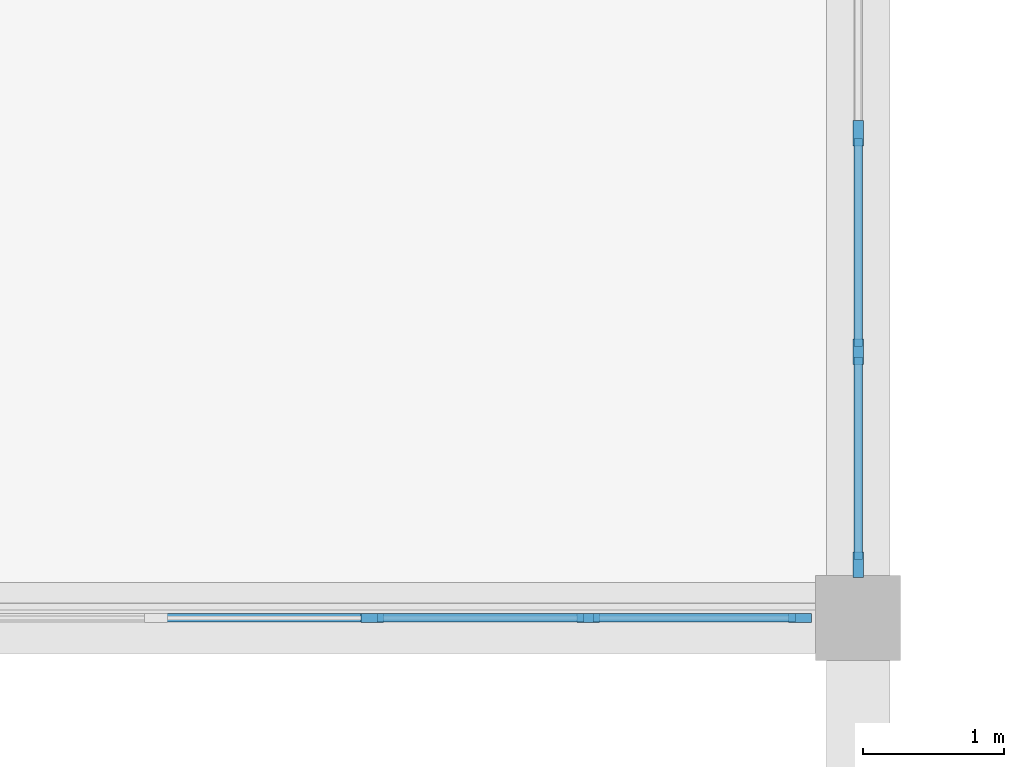
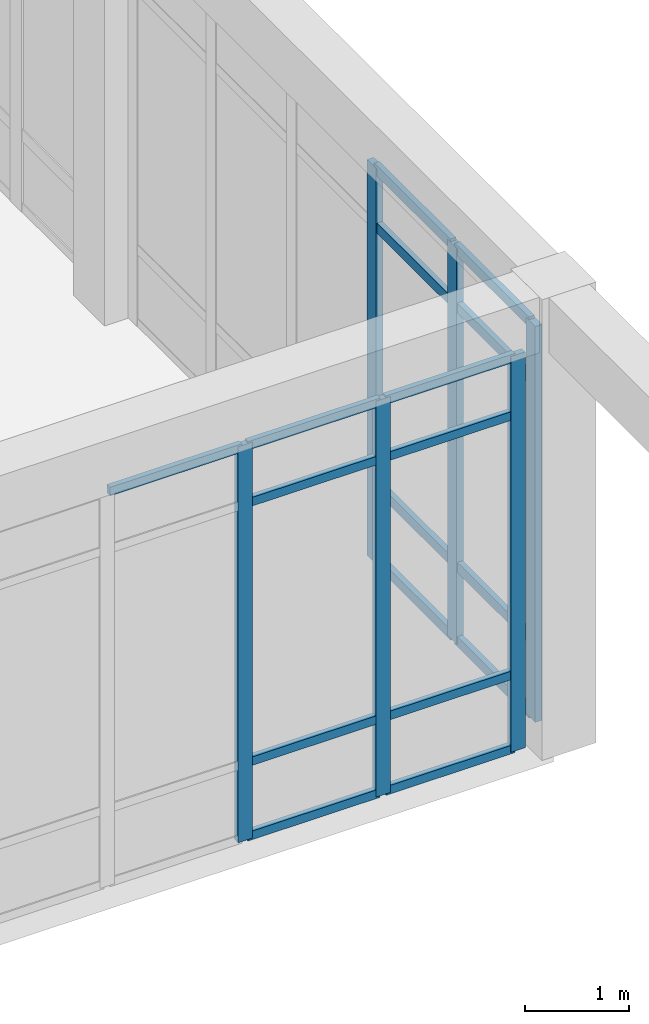
# One storey, part 16 of 89: 23 members, 2 elements without a shape of their own.
"""IFC4 building model written with IfcOpenShell, lengths in metres."""

from ifc_helpers import new_model, si_unit, direction, frame, origin, origin_2d, place, context, subcontext, project, spatial, rectangle, extrude, material, material_profile, profile_set, type_object, element, aggregate, save


model = new_model("IFC4")

# Units and contexts
model_context = context("Model", 3, precision=1e-05, world=origin(), true_north=direction((0.0, 1.0)))
body_context = subcontext(model_context, "Body", "Model", "MODEL_VIEW")
ifc_project = project(units=[si_unit("LENGTHUNIT", "METRE"), si_unit("AREAUNIT", "SQUARE_METRE"), si_unit("VOLUMEUNIT", "CUBIC_METRE"), si_unit("PLANEANGLEUNIT", "RADIAN"), si_unit("MASSUNIT", "GRAM", prefix="KILO")], contexts=[model_context])

# Site, building, storey
site_placement = place(None, origin())
site = spatial("IfcSite", under=ifc_project, at=site_placement, CompositionType="ELEMENT")
building_placement = place(site_placement, origin())
building = spatial("IfcBuilding", under=site, at=building_placement, Name="Varncliffe General Hospital", CompositionType="ELEMENT")
storey_placement = place(building_placement, frame((0.0, 0.0, 10.800048828125)))
storey = spatial("IfcBuildingStorey", under=building, at=storey_placement, Name="L02", CompositionType="ELEMENT", Elevation=10.800048828125)

# Curtain wall, members
ifc_material_1 = material(Name="Triple low-E argon insulated vision glazing", Category="glass")
curtain_wall_type_1 = type_object("IfcCurtainWallType", Name="Unitised Glazed Curtain Wall CW70 (7724x4640)", PredefinedType="USERDEFINED", material=ifc_material_1)
curtain_wall_1_placement = place(storey_placement, origin())
curtain_wall_1 = element("IfcCurtainWall", 1, at=curtain_wall_1_placement, inside=storey, type_object=curtain_wall_type_1, Name="L02 Glazed Curtain Wall CW70-133", ObjectType="GLAZED CURTAIN WALL", PredefinedType="USERDEFINED")
ifc_material_2 = material(Name="Dark bronze thermally broken aluminium framing", Category="aluminium")
ifc_material_profile_1 = material_profile(ifc_material_2, rectangle(XDim=0.074951171875, YDim=0.179931640625, at=origin_2d()), Name="ALU 75x180")
ifc_profile_set_1 = profile_set([ifc_material_profile_1], Name="Dark bronze thermally broken aluminium framing")
member_type_1 = type_object("IfcMemberType", Name="Curtain Wall Mullion CM44 (ALU 75x180)", PredefinedType="MULLION", material=ifc_profile_set_1)
member_1_placement = place(storey_placement, frame((117.60009765625, 61.027587890625, 0.0), z_axis=(0.0, 0.0, 1.0), x_axis=(1.0, 0.0, 0.0)))
member_1 = element("IfcMember", 2, at=member_1_placement, type_object=member_type_1, Name="CW70 mullion 4", PredefinedType="MULLION", context=body_context, shape_type="SweptSolid", body=[
    extrude(rectangle(XDim=0.074951171875, YDim=0.179931640625, at=origin_2d()), origin(), (0.0, 0.0, 1.0), 4.639892578125),
])
member_2_placement = place(storey_placement, frame((117.60009765625, 59.48291015625, 0.0), z_axis=(0.0, 0.0, 1.0), x_axis=(1.0, 0.0, 0.0)))
member_2 = element("IfcMember", 3, at=member_2_placement, type_object=member_type_1, Name="CW70 mullion 5", PredefinedType="MULLION", context=body_context, shape_type="SweptSolid", body=[
    extrude(rectangle(XDim=0.074951171875, YDim=0.179931640625, at=origin_2d()), origin(), (0.0, 0.0, 1.0), 4.639892578125),
])
member_3_placement = place(storey_placement, frame((117.60009765625, 57.9755859375, 0.0), z_axis=(0.0, 0.0, 1.0), x_axis=(1.0, 0.0, 0.0)))
member_3 = element("IfcMember", 4, at=member_3_placement, type_object=member_type_1, Name="CW70 mullion 6", PredefinedType="MULLION", context=body_context, shape_type="SweptSolid", body=[
    extrude(rectangle(XDim=0.074951171875, YDim=0.179931640625, at=origin_2d()), origin(), (0.0, 0.0, 1.0), 4.639892578125),
])

curtain_wall_type_2 = type_object("IfcCurtainWallType", Name="Unitised Glazed Curtain Wall CW27 (7644x4640)", PredefinedType="USERDEFINED", material=ifc_material_1)
curtain_wall_2_placement = place(storey_placement, origin())
curtain_wall_2 = element("IfcCurtainWall", 5, at=curtain_wall_2_placement, inside=storey, type_object=curtain_wall_type_2, Name="L02 Glazed Curtain Wall CW27-134", ObjectType="GLAZED CURTAIN WALL", PredefinedType="USERDEFINED")
ifc_material_profile_2 = material_profile(ifc_material_2, rectangle(XDim=0.06494140625, YDim=0.159912109375, at=origin_2d()), Name="ALU 65x160")
ifc_profile_set_2 = profile_set([ifc_material_profile_2], Name="Dark bronze thermally broken aluminium framing")
member_type_2 = type_object("IfcMemberType", Name="Curtain Wall Mullion CM65 (ALU 65x160)", PredefinedType="MULLION", material=ifc_profile_set_2)
member_4_placement = place(storey_placement, frame((117.189453125, 57.60009765625, 0.0), z_axis=(0.0, 0.0, 1.0), x_axis=(0.0, -1.0, 0.0)))
member_4 = element("IfcMember", 6, at=member_4_placement, type_object=member_type_2, Name="CW27 mullion 1", PredefinedType="MULLION", context=body_context, shape_type="SweptSolid", body=[
    extrude(rectangle(XDim=0.06494140625, YDim=0.159912109375, at=origin_2d()), origin(), (0.0, 0.0, 1.0), 4.639892578125),
])
member_5_placement = place(storey_placement, frame((115.693115234375, 57.60009765625, 0.0), z_axis=(0.0, 0.0, 1.0), x_axis=(0.0, -1.0, 0.0)))
member_5 = element("IfcMember", 7, at=member_5_placement, type_object=member_type_2, Name="CW27 mullion 2", PredefinedType="MULLION", context=body_context, shape_type="SweptSolid", body=[
    extrude(rectangle(XDim=0.06494140625, YDim=0.159912109375, at=origin_2d()), origin(), (0.0, 0.0, 1.0), 4.639892578125),
])
member_6_placement = place(storey_placement, frame((114.164306640625, 57.60009765625, 0.0), z_axis=(0.0, 0.0, 1.0), x_axis=(0.0, -1.0, 0.0)))
member_6 = element("IfcMember", 8, at=member_6_placement, type_object=member_type_2, Name="CW27 mullion 3", PredefinedType="MULLION", context=body_context, shape_type="SweptSolid", body=[
    extrude(rectangle(XDim=0.06494140625, YDim=0.159912109375, at=origin_2d()), origin(), (0.0, 0.0, 1.0), 4.639892578125),
])

# Member
ifc_material_profile_3 = material_profile(ifc_material_2, rectangle(XDim=0.06005859375, YDim=0.1201171875, at=origin_2d()), Name="ALU 60x120")
ifc_profile_set_3 = profile_set([ifc_material_profile_3], Name="Dark bronze thermally broken aluminium framing")
member_type_3 = type_object("IfcMemberType", Name="Curtain Wall Transom CT14 (ALU 60x120)", PredefinedType="USERDEFINED", material=ifc_profile_set_3)
member_7_placement = place(storey_placement, frame((117.60009765625, 60.989990234375, 0.030029296875), z_axis=(0.0, -1.0, 0.0), x_axis=(1.0, 0.0, 0.0)))
member_7 = element("IfcMember", 9, at=member_7_placement, type_object=member_type_3, Name="CW70 transom 4.1", ObjectType="TRANSOM", PredefinedType="USERDEFINED", context=body_context, shape_type="SweptSolid", body=[
    extrude(rectangle(XDim=0.06005859375, YDim=0.1201171875, at=origin_2d()), origin(), (0.0, 0.0, 1.0), 1.4697265625),
])

member_8_placement = place(storey_placement, frame((117.60009765625, 60.989990234375, 0.89990234375), z_axis=(0.0, -1.0, 0.0), x_axis=(1.0, 0.0, 0.0)))
member_8 = element("IfcMember", 10, at=member_8_placement, type_object=member_type_3, Name="CW70 transom 4.2", ObjectType="TRANSOM", PredefinedType="USERDEFINED", context=body_context, shape_type="SweptSolid", body=[
    extrude(rectangle(XDim=0.06005859375, YDim=0.1201171875, at=origin_2d()), origin(), (0.0, 0.0, 1.0), 1.4697265625),
])

member_9_placement = place(storey_placement, frame((117.60009765625, 60.989990234375, 3.93994140625), z_axis=(0.0, -1.0, 0.0), x_axis=(1.0, 0.0, 0.0)))
member_9 = element("IfcMember", 11, at=member_9_placement, type_object=member_type_3, Name="CW70 transom 4.3", ObjectType="TRANSOM", PredefinedType="USERDEFINED", context=body_context, shape_type="SweptSolid", body=[
    extrude(rectangle(XDim=0.06005859375, YDim=0.1201171875, at=origin_2d()), origin(), (0.0, 0.0, 1.0), 1.4697265625),
])

member_10_placement = place(storey_placement, frame((117.60009765625, 60.989990234375, 4.60986328125), z_axis=(0.0, -1.0, 0.0), x_axis=(1.0, 0.0, 0.0)))
member_10 = element("IfcMember", 12, at=member_10_placement, type_object=member_type_3, Name="CW70 transom 4.4", ObjectType="TRANSOM", PredefinedType="USERDEFINED", context=body_context, shape_type="SweptSolid", body=[
    extrude(rectangle(XDim=0.06005859375, YDim=0.1201171875, at=origin_2d()), origin(), (0.0, 0.0, 1.0), 1.4697265625),
])

member_11_placement = place(storey_placement, frame((117.60009765625, 59.4453125, 0.030029296875), z_axis=(0.0, -1.0, 0.0), x_axis=(1.0, 0.0, 0.0)))
member_11 = element("IfcMember", 13, at=member_11_placement, type_object=member_type_3, Name="CW70 transom 5.1", ObjectType="TRANSOM", PredefinedType="USERDEFINED", context=body_context, shape_type="SweptSolid", body=[
    extrude(rectangle(XDim=0.06005859375, YDim=0.1201171875, at=origin_2d()), origin(), (0.0, 0.0, 1.0), 1.432373046875),
])

member_12_placement = place(storey_placement, frame((117.60009765625, 59.4453125, 0.89990234375), z_axis=(0.0, -1.0, 0.0), x_axis=(1.0, 0.0, 0.0)))
member_12 = element("IfcMember", 14, at=member_12_placement, type_object=member_type_3, Name="CW70 transom 5.2", ObjectType="TRANSOM", PredefinedType="USERDEFINED", context=body_context, shape_type="SweptSolid", body=[
    extrude(rectangle(XDim=0.06005859375, YDim=0.1201171875, at=origin_2d()), origin(), (0.0, 0.0, 1.0), 1.432373046875),
])

member_13_placement = place(storey_placement, frame((117.60009765625, 59.4453125, 3.93994140625), z_axis=(0.0, -1.0, 0.0), x_axis=(1.0, 0.0, 0.0)))
member_13 = element("IfcMember", 15, at=member_13_placement, type_object=member_type_3, Name="CW70 transom 5.3", ObjectType="TRANSOM", PredefinedType="USERDEFINED", context=body_context, shape_type="SweptSolid", body=[
    extrude(rectangle(XDim=0.06005859375, YDim=0.1201171875, at=origin_2d()), origin(), (0.0, 0.0, 1.0), 1.432373046875),
])

member_14_placement = place(storey_placement, frame((117.60009765625, 59.4453125, 4.60986328125), z_axis=(0.0, -1.0, 0.0), x_axis=(1.0, 0.0, 0.0)))
member_14 = element("IfcMember", 16, at=member_14_placement, type_object=member_type_3, Name="CW70 transom 5.4", ObjectType="TRANSOM", PredefinedType="USERDEFINED", context=body_context, shape_type="SweptSolid", body=[
    extrude(rectangle(XDim=0.06005859375, YDim=0.1201171875, at=origin_2d()), origin(), (0.0, 0.0, 1.0), 1.432373046875),
])

aggregate(curtain_wall_1, [member_1, member_2, member_3, member_7, member_8, member_9, member_10, member_11, member_12, member_13, member_14])

ifc_material_profile_4 = material_profile(ifc_material_2, rectangle(XDim=0.06005859375, YDim=0.10009765625, at=origin_2d()), Name="ALU 60x100")
ifc_profile_set_4 = profile_set([ifc_material_profile_4], Name="Dark bronze thermally broken aluminium framing")
member_type_4 = type_object("IfcMemberType", Name="Curtain Wall Transom CT18 (ALU 60x100)", PredefinedType="USERDEFINED", material=ifc_profile_set_4)
member_15_placement = place(storey_placement, frame((117.156982421875, 57.60009765625, 0.030029296875), z_axis=(-1.0, 0.0, 0.0), x_axis=(0.0, -1.0, 0.0)))
member_15 = element("IfcMember", 17, at=member_15_placement, type_object=member_type_4, Name="CW27 transom 1.1", ObjectType="TRANSOM", PredefinedType="USERDEFINED", context=body_context, shape_type="SweptSolid", body=[
    extrude(rectangle(XDim=0.06005859375, YDim=0.10009765625, at=origin_2d()), origin(), (0.0, 0.0, 1.0), 1.431396484375),
])

member_16_placement = place(storey_placement, frame((117.156982421875, 57.60009765625, 0.89990234375), z_axis=(-1.0, 0.0, 0.0), x_axis=(0.0, -1.0, 0.0)))
member_16 = element("IfcMember", 18, at=member_16_placement, type_object=member_type_4, Name="CW27 transom 1.2", ObjectType="TRANSOM", PredefinedType="USERDEFINED", context=body_context, shape_type="SweptSolid", body=[
    extrude(rectangle(XDim=0.06005859375, YDim=0.10009765625, at=origin_2d()), origin(), (0.0, 0.0, 1.0), 1.431396484375),
])

member_17_placement = place(storey_placement, frame((117.156982421875, 57.60009765625, 3.93994140625), z_axis=(-1.0, 0.0, 0.0), x_axis=(0.0, -1.0, 0.0)))
member_17 = element("IfcMember", 19, at=member_17_placement, type_object=member_type_4, Name="CW27 transom 1.3", ObjectType="TRANSOM", PredefinedType="USERDEFINED", context=body_context, shape_type="SweptSolid", body=[
    extrude(rectangle(XDim=0.06005859375, YDim=0.10009765625, at=origin_2d()), origin(), (0.0, 0.0, 1.0), 1.431396484375),
])

member_18_placement = place(storey_placement, frame((117.156982421875, 57.60009765625, 4.60986328125), z_axis=(-1.0, 0.0, 0.0), x_axis=(0.0, -1.0, 0.0)))
member_18 = element("IfcMember", 20, at=member_18_placement, type_object=member_type_4, Name="CW27 transom 1.4", ObjectType="TRANSOM", PredefinedType="USERDEFINED", context=body_context, shape_type="SweptSolid", body=[
    extrude(rectangle(XDim=0.06005859375, YDim=0.10009765625, at=origin_2d()), origin(), (0.0, 0.0, 1.0), 1.431396484375),
])

member_19_placement = place(storey_placement, frame((115.66064453125, 57.60009765625, 0.030029296875), z_axis=(-1.0, 0.0, 0.0), x_axis=(0.0, -1.0, 0.0)))
member_19 = element("IfcMember", 21, at=member_19_placement, type_object=member_type_4, Name="CW27 transom 2.1", ObjectType="TRANSOM", PredefinedType="USERDEFINED", context=body_context, shape_type="SweptSolid", body=[
    extrude(rectangle(XDim=0.06005859375, YDim=0.10009765625, at=origin_2d()), origin(), (0.0, 0.0, 1.0), 1.463623046875),
])

member_20_placement = place(storey_placement, frame((115.66064453125, 57.60009765625, 0.89990234375), z_axis=(-1.0, 0.0, 0.0), x_axis=(0.0, -1.0, 0.0)))
member_20 = element("IfcMember", 22, at=member_20_placement, type_object=member_type_4, Name="CW27 transom 2.2", ObjectType="TRANSOM", PredefinedType="USERDEFINED", context=body_context, shape_type="SweptSolid", body=[
    extrude(rectangle(XDim=0.06005859375, YDim=0.10009765625, at=origin_2d()), origin(), (0.0, 0.0, 1.0), 1.463623046875),
])

member_21_placement = place(storey_placement, frame((115.66064453125, 57.60009765625, 3.93994140625), z_axis=(-1.0, 0.0, 0.0), x_axis=(0.0, -1.0, 0.0)))
member_21 = element("IfcMember", 23, at=member_21_placement, type_object=member_type_4, Name="CW27 transom 2.3", ObjectType="TRANSOM", PredefinedType="USERDEFINED", context=body_context, shape_type="SweptSolid", body=[
    extrude(rectangle(XDim=0.06005859375, YDim=0.10009765625, at=origin_2d()), origin(), (0.0, 0.0, 1.0), 1.463623046875),
])

member_22_placement = place(storey_placement, frame((115.66064453125, 57.60009765625, 4.60986328125), z_axis=(-1.0, 0.0, 0.0), x_axis=(0.0, -1.0, 0.0)))
member_22 = element("IfcMember", 24, at=member_22_placement, type_object=member_type_4, Name="CW27 transom 2.4", ObjectType="TRANSOM", PredefinedType="USERDEFINED", context=body_context, shape_type="SweptSolid", body=[
    extrude(rectangle(XDim=0.06005859375, YDim=0.10009765625, at=origin_2d()), origin(), (0.0, 0.0, 1.0), 1.463623046875),
])

member_23_placement = place(storey_placement, frame((114.1318359375, 57.60009765625, 4.60986328125), z_axis=(-1.0, 0.0, 0.0), x_axis=(0.0, -1.0, 0.0)))
member_23 = element("IfcMember", 25, at=member_23_placement, type_object=member_type_4, Name="CW27 transom 3.4", ObjectType="TRANSOM", PredefinedType="USERDEFINED", context=body_context, shape_type="SweptSolid", body=[
    extrude(rectangle(XDim=0.06005859375, YDim=0.10009765625, at=origin_2d()), origin(), (0.0, 0.0, 1.0), 1.463623046875),
])

aggregate(curtain_wall_2, [member_4, member_5, member_6, member_15, member_16, member_17, member_18, member_19, member_20, member_21, member_22, member_23])

save(model, "model.ifc")
